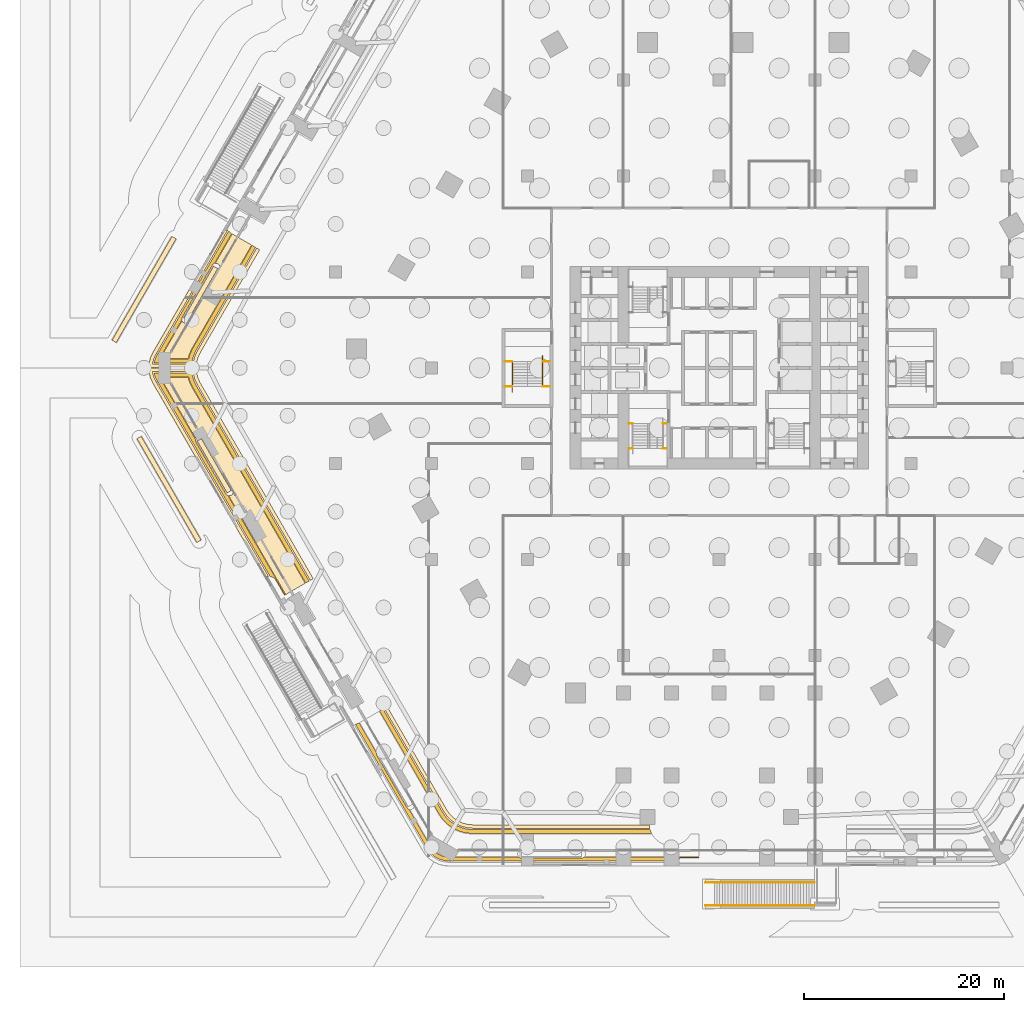
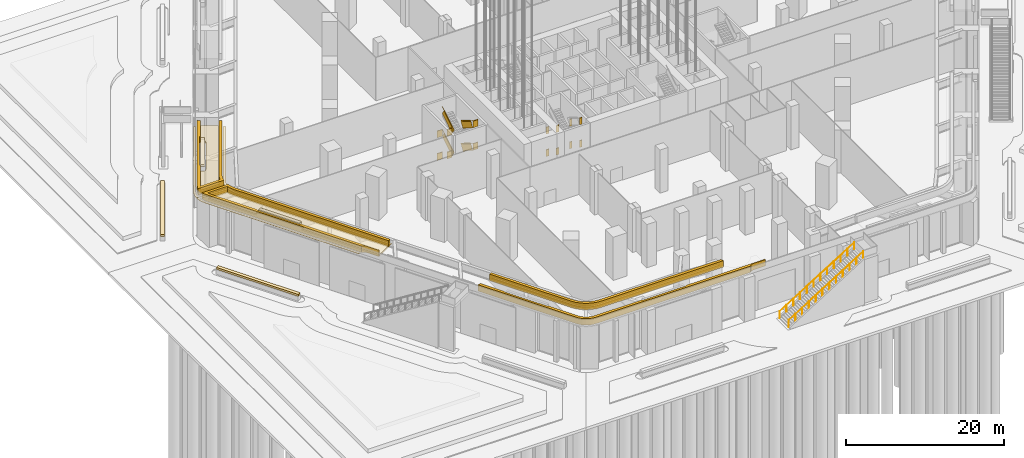
# One storey, part 62 of 68: 13 coverings, 5 railings.
"""IFC4 building model written with IfcOpenShell, lengths in metres."""

from ifc_helpers import new_model, si_unit, direction, frame, frame_2d, origin, origin_2d, place, context, subcontext, project, spatial, polyline, rectangle, circle, outline, extrude, material, layer, layer_set, type_object, element, save


model = new_model("IFC4")

# Units and contexts
model_context = context("Model", 3, precision=1e-05, world=origin(), true_north=direction((0.0, 1.0)))
body_context = subcontext(model_context, "Body", "Model", "MODEL_VIEW")
ifc_project = project(units=[si_unit("LENGTHUNIT", "METRE"), si_unit("AREAUNIT", "SQUARE_METRE"), si_unit("VOLUMEUNIT", "CUBIC_METRE"), si_unit("PLANEANGLEUNIT", "RADIAN"), si_unit("MASSUNIT", "GRAM", prefix="KILO")], contexts=[model_context])

# Site, building, storey
site_placement = place(None, origin())
site = spatial("IfcSite", under=ifc_project, at=site_placement, CompositionType="ELEMENT")
building_placement = place(site_placement, origin())
building = spatial("IfcBuilding", under=site, at=building_placement, Name="Kolab Exchange Tower", CompositionType="ELEMENT")
storey_placement = place(building_placement, origin())
storey = spatial("IfcBuildingStorey", under=building, at=storey_placement, Name="L00", CompositionType="ELEMENT", Elevation=0.0)

# Railings
ifc_material_1 = material(Name="Stainless steel 316", Category="steel")
railing_type_1 = type_object("IfcRailingType", Name="GUARD 1100", PredefinedType="GUARDRAIL", material=ifc_material_1)
railing_1_placement = place(storey_placement, frame((-9.050048828125, -5.550048828125, 0.0)))
element("IfcRailing", 1, at=railing_1_placement, inside=storey, type_object=railing_type_1, Name="Guard ST3", PredefinedType="GUARDRAIL", context=body_context, shape_type="SweptSolid", body=[
    extrude(rectangle(XDim=0.05, YDim=0.05, at=origin_2d()), frame((0.0, 0.0, 1.0751953125), z_axis=(1.0, 0.0, 0.0), x_axis=(0.0, 1.0, 0.0)), (0.0, 0.0, 1.0), 0.39013671875),
    extrude(rectangle(XDim=0.012, YDim=1.05009765625, at=frame_2d((0.0, 0.525146484375))), frame((0.0, 0.0, 0.0), z_axis=(1.0, 0.0, 0.0), x_axis=(0.0, 1.0, 0.0)), (0.0, 0.0, 1.0), 0.39013671875),
    extrude(rectangle(XDim=0.05, YDim=0.05, at=origin_2d()), frame((3.41015625, 0.0, 1.0751953125), z_axis=(1.0, 0.0, 0.0), x_axis=(0.0, 1.0, 0.0)), (0.0, 0.0, 1.0), 0.389892578125),
    extrude(rectangle(XDim=0.012, YDim=1.05009765625, at=frame_2d((0.0, 0.525146484375))), frame((3.41015625, 0.0, 0.0), z_axis=(1.0, 0.0, 0.0), x_axis=(0.0, 1.0, 0.0)), (0.0, 0.0, 1.0), 0.389892578125),
    extrude(rectangle(XDim=0.05, YDim=0.05, at=origin_2d()), frame((0.0, -2.52001953125, 2.8251953125), z_axis=(1.0, 0.0, 0.0), x_axis=(0.0, 1.0, 0.0)), (0.0, 0.0, 1.0), 0.39013671875),
    extrude(rectangle(XDim=0.012, YDim=1.05009765625, at=frame_2d((0.0, 0.525146484375))), frame((0.0, -2.52001953125, 1.75), z_axis=(1.0, 0.0, 0.0), x_axis=(0.0, 1.0, 0.0)), (0.0, 0.0, 1.0), 0.39013671875),
    extrude(rectangle(XDim=0.05, YDim=0.05, at=origin_2d()), frame((3.41015625, -2.52001953125, 2.8251953125), z_axis=(1.0, 0.0, 0.0), x_axis=(0.0, 1.0, 0.0)), (0.0, 0.0, 1.0), 0.389892578125),
    extrude(rectangle(XDim=0.012, YDim=1.05009765625, at=frame_2d((0.0, 0.525146484375))), frame((3.41015625, -2.52001953125, 1.75), z_axis=(1.0, 0.0, 0.0), x_axis=(0.0, 1.0, 0.0)), (0.0, 0.0, 1.0), 0.389892578125),
    extrude(rectangle(XDim=0.05, YDim=0.05, at=origin_2d()), frame((0.0, 0.0, 4.5751953125), z_axis=(1.0, 0.0, 0.0), x_axis=(0.0, 1.0, 0.0)), (0.0, 0.0, 1.0), 0.39013671875),
    extrude(rectangle(XDim=0.012, YDim=1.05009765625, at=frame_2d((0.0, 0.525146484375))), frame((0.0, 0.0, 3.5), z_axis=(1.0, 0.0, 0.0), x_axis=(0.0, 1.0, 0.0)), (0.0, 0.0, 1.0), 0.39013671875),
    extrude(rectangle(XDim=0.05, YDim=0.05, at=origin_2d()), frame((3.41015625, 0.0, 4.5751953125), z_axis=(1.0, 0.0, 0.0), x_axis=(0.0, 1.0, 0.0)), (0.0, 0.0, 1.0), 0.389892578125),
    extrude(rectangle(XDim=0.012, YDim=1.05009765625, at=frame_2d((0.0, 0.525146484375))), frame((3.41015625, 0.0, 3.5), z_axis=(1.0, 0.0, 0.0), x_axis=(0.0, 1.0, 0.0)), (0.0, 0.0, 1.0), 0.389892578125),
    extrude(rectangle(XDim=0.05, YDim=0.05, at=origin_2d()), frame((0.0, -2.52001953125, 6.3251953125), z_axis=(1.0, 0.0, 0.0), x_axis=(0.0, 1.0, 0.0)), (0.0, 0.0, 1.0), 0.39013671875),
    extrude(rectangle(XDim=0.012, YDim=1.05009765625, at=frame_2d((0.0, 0.525146484375))), frame((0.0, -2.52001953125, 5.25), z_axis=(1.0, 0.0, 0.0), x_axis=(0.0, 1.0, 0.0)), (0.0, 0.0, 1.0), 0.39013671875),
    extrude(rectangle(XDim=0.05, YDim=0.05, at=origin_2d()), frame((3.41015625, -2.52001953125, 6.3251953125), z_axis=(1.0, 0.0, 0.0), x_axis=(0.0, 1.0, 0.0)), (0.0, 0.0, 1.0), 0.389892578125),
    extrude(rectangle(XDim=0.012, YDim=1.05009765625, at=frame_2d((0.0, 0.525146484375))), frame((3.41015625, -2.52001953125, 5.25), z_axis=(1.0, 0.0, 0.0), x_axis=(0.0, 1.0, 0.0)), (0.0, 0.0, 1.0), 0.389892578125),
])
railing_2_placement = place(storey_placement, frame((-21.449951171875, 0.64990234375, 0.0)))
element("IfcRailing", 2, at=railing_2_placement, inside=storey, type_object=railing_type_1, Name="Guard ST5", PredefinedType="GUARDRAIL", context=body_context, shape_type="SweptSolid", body=[
    extrude(rectangle(XDim=0.05, YDim=0.05, at=origin_2d()), frame((0.0, 0.0, 1.0751953125), z_axis=(1.0, 0.0, 0.0), x_axis=(0.0, 1.0, 0.0)), (0.0, 0.0, 1.0), 0.739990234375),
    extrude(rectangle(XDim=0.012, YDim=1.05009765625, at=frame_2d((0.0, 0.525146484375))), frame((0.0, 0.0, 0.0), z_axis=(1.0, 0.0, 0.0), x_axis=(0.0, 1.0, 0.0)), (0.0, 0.0, 1.0), 0.739990234375),
    extrude(rectangle(XDim=0.05, YDim=0.05, at=origin_2d()), frame((3.760009765625, 0.0, 1.0751953125), z_axis=(1.0, 0.0, 0.0), x_axis=(0.0, 1.0, 0.0)), (0.0, 0.0, 1.0), 0.739990234375),
    extrude(rectangle(XDim=0.012, YDim=1.05009765625, at=frame_2d((0.0, 0.525146484375))), frame((3.760009765625, 0.0, 0.0), z_axis=(1.0, 0.0, 0.0), x_axis=(0.0, 1.0, 0.0)), (0.0, 0.0, 1.0), 0.739990234375),
    extrude(rectangle(XDim=0.05, YDim=0.05, at=origin_2d()), frame((0.0, -2.52001953125, 2.8251953125), z_axis=(1.0, 0.0, 0.0), x_axis=(0.0, 1.0, 0.0)), (0.0, 0.0, 1.0), 0.739990234375),
    extrude(rectangle(XDim=0.012, YDim=1.05009765625, at=frame_2d((0.0, 0.525146484375))), frame((0.0, -2.52001953125, 1.75), z_axis=(1.0, 0.0, 0.0), x_axis=(0.0, 1.0, 0.0)), (0.0, 0.0, 1.0), 0.739990234375),
    extrude(rectangle(XDim=0.05, YDim=0.05, at=origin_2d()), frame((3.760009765625, -2.52001953125, 2.8251953125), z_axis=(1.0, 0.0, 0.0), x_axis=(0.0, 1.0, 0.0)), (0.0, 0.0, 1.0), 0.739990234375),
    extrude(rectangle(XDim=0.012, YDim=1.05009765625, at=frame_2d((0.0, 0.525146484375))), frame((3.760009765625, -2.52001953125, 1.75), z_axis=(1.0, 0.0, 0.0), x_axis=(0.0, 1.0, 0.0)), (0.0, 0.0, 1.0), 0.739990234375),
    extrude(rectangle(XDim=0.05, YDim=0.05, at=origin_2d()), frame((0.0, 0.0, 4.5751953125), z_axis=(1.0, 0.0, 0.0), x_axis=(0.0, 1.0, 0.0)), (0.0, 0.0, 1.0), 0.739990234375),
    extrude(rectangle(XDim=0.012, YDim=1.05009765625, at=frame_2d((0.0, 0.525146484375))), frame((0.0, 0.0, 3.5), z_axis=(1.0, 0.0, 0.0), x_axis=(0.0, 1.0, 0.0)), (0.0, 0.0, 1.0), 0.739990234375),
    extrude(rectangle(XDim=0.05, YDim=0.05, at=origin_2d()), frame((3.760009765625, 0.0, 4.5751953125), z_axis=(1.0, 0.0, 0.0), x_axis=(0.0, 1.0, 0.0)), (0.0, 0.0, 1.0), 0.739990234375),
    extrude(rectangle(XDim=0.012, YDim=1.05009765625, at=frame_2d((0.0, 0.525146484375))), frame((3.760009765625, 0.0, 3.5), z_axis=(1.0, 0.0, 0.0), x_axis=(0.0, 1.0, 0.0)), (0.0, 0.0, 1.0), 0.739990234375),
    extrude(rectangle(XDim=0.05, YDim=0.05, at=origin_2d()), frame((0.0, -2.52001953125, 6.3251953125), z_axis=(1.0, 0.0, 0.0), x_axis=(0.0, 1.0, 0.0)), (0.0, 0.0, 1.0), 0.739990234375),
    extrude(rectangle(XDim=0.012, YDim=1.05009765625, at=frame_2d((0.0, 0.525146484375))), frame((0.0, -2.52001953125, 5.25), z_axis=(1.0, 0.0, 0.0), x_axis=(0.0, 1.0, 0.0)), (0.0, 0.0, 1.0), 0.739990234375),
    extrude(rectangle(XDim=0.05, YDim=0.05, at=origin_2d()), frame((3.760009765625, -2.52001953125, 6.3251953125), z_axis=(1.0, 0.0, 0.0), x_axis=(0.0, 1.0, 0.0)), (0.0, 0.0, 1.0), 0.739990234375),
    extrude(rectangle(XDim=0.012, YDim=1.05009765625, at=frame_2d((0.0, 0.525146484375))), frame((3.760009765625, -2.52001953125, 5.25), z_axis=(1.0, 0.0, 0.0), x_axis=(0.0, 1.0, 0.0)), (0.0, 0.0, 1.0), 0.739990234375),
])
railing_3_placement = place(storey_placement, frame((-17.68994140625, 0.64990234375, 0.175048828125)))
element("IfcRailing", 3, at=railing_3_placement, inside=storey, type_object=railing_type_1, Name="Handrail guard ST5", PredefinedType="GUARDRAIL", context=body_context, shape_type="SweptSolid", body=[
    extrude(rectangle(XDim=0.05, YDim=0.05, at=origin_2d()), frame((0.0, 0.0, 1.0751953125), z_axis=(0.0, -0.848007534815, 0.529984170421), x_axis=(1.0, 0.0, 0.0)), (0.0, 0.0, 1.0), 2.9716796875),
    extrude(rectangle(XDim=0.012, YDim=1.05009765625, at=frame_2d((0.0, 0.525146484375))), frame((0.0, 0.0, 0.0), z_axis=(0.0, -0.848007534815, 0.529984170421), x_axis=(1.0, 0.0, 0.0)), (0.0, 0.0, 1.0), 2.9716796875),
    extrude(rectangle(XDim=0.05, YDim=0.05, at=origin_2d()), frame((-3.02001953125, -2.52001953125, 2.8251953125), z_axis=(0.0, 0.848007534815, 0.529984170421), x_axis=(-1.0, 0.0, 0.0)), (0.0, 0.0, 1.0), 2.9716796875),
    extrude(rectangle(XDim=0.012, YDim=1.05009765625, at=frame_2d((0.0, 0.525146484375))), frame((-3.02001953125, -2.52001953125, 1.75), z_axis=(0.0, 0.848007534815, 0.529984170421), x_axis=(-1.0, 0.0, 0.0)), (0.0, 0.0, 1.0), 2.9716796875),
    extrude(rectangle(XDim=0.05, YDim=0.05, at=origin_2d()), frame((0.0, 0.0, 4.5751953125), z_axis=(0.0, -0.848007534815, 0.529984170421), x_axis=(1.0, 0.0, 0.0)), (0.0, 0.0, 1.0), 2.9716796875),
    extrude(rectangle(XDim=0.012, YDim=1.05009765625, at=frame_2d((0.0, 0.525146484375))), frame((0.0, 0.0, 3.5), z_axis=(0.0, -0.848007534815, 0.529984170421), x_axis=(1.0, 0.0, 0.0)), (0.0, 0.0, 1.0), 2.9716796875),
    extrude(rectangle(XDim=0.05, YDim=0.05, at=origin_2d()), frame((-3.02001953125, -2.52001953125, 6.3251953125), z_axis=(0.0, 0.848007534815, 0.529984170421), x_axis=(-1.0, 0.0, 0.0)), (0.0, 0.0, 1.0), 2.9716796875),
    extrude(rectangle(XDim=0.012, YDim=1.05009765625, at=frame_2d((0.0, 0.525146484375))), frame((-3.02001953125, -2.52001953125, 5.25), z_axis=(0.0, 0.848007534815, 0.529984170421), x_axis=(-1.0, 0.0, 0.0)), (0.0, 0.0, 1.0), 2.9716796875),
])
ifc_material_2 = material(Name="Steel S235", Category="steel")
railing_type_2 = type_object("IfcRailingType", Name="GUARD 1100 GLASS BALUSTRADE AND STEEL TOP RAIL", PredefinedType="GUARDRAIL", material=ifc_material_2)
railing_4_placement = place(storey_placement, frame((-1.360107421875, -51.54296875, 0.175048828125)))
element("IfcRailing", 4, at=railing_4_placement, inside=storey, type_object=railing_type_2, Name="Stair guard", PredefinedType="GUARDRAIL", context=body_context, shape_type="SweptSolid", body=[
    extrude(circle(Radius=0.02490234375, at=origin_2d()), frame((0.0, 0.0, 1.0751953125), z_axis=(0.848003629439, 0.0, 0.529990419213), x_axis=(0.0, 1.0, 0.0)), (0.0, 0.0, 1.0), 12.87744140625),
    extrude(circle(Radius=0.02001953125, at=origin_2d()), origin(), (0.0, 0.0, 1.0), 1.050048828125),
    extrude(circle(Radius=0.02001953125, at=origin_2d()), frame((0.99267578125, 0.0, 0.620361328125)), (0.0, 0.0, 1.0), 1.050048828125),
    extrude(circle(Radius=0.02001953125, at=origin_2d()), frame((1.985595703125, 0.0, 1.240966796875)), (0.0, 0.0, 1.0), 1.050048828125),
    extrude(circle(Radius=0.02001953125, at=origin_2d()), frame((2.978271484375, 0.0, 1.861328125)), (0.0, 0.0, 1.0), 1.050048828125),
    extrude(circle(Radius=0.02001953125, at=origin_2d()), frame((3.970947265625, 0.0, 2.481689453125)), (0.0, 0.0, 1.0), 1.050048828125),
    extrude(circle(Radius=0.02001953125, at=origin_2d()), frame((4.963623046875, 0.0, 3.102294921875)), (0.0, 0.0, 1.0), 1.050048828125),
    extrude(circle(Radius=0.02001953125, at=origin_2d()), frame((5.95654296875, 0.0, 3.72265625)), (0.0, 0.0, 1.0), 1.050048828125),
    extrude(circle(Radius=0.02001953125, at=origin_2d()), frame((6.94921875, 0.0, 4.34326171875)), (0.0, 0.0, 1.0), 1.050048828125),
    extrude(circle(Radius=0.02001953125, at=origin_2d()), frame((7.94189453125, 0.0, 4.963623046875)), (0.0, 0.0, 1.0), 1.050048828125),
    extrude(circle(Radius=0.02001953125, at=origin_2d()), frame((8.9345703125, 0.0, 5.583984375)), (0.0, 0.0, 1.0), 1.050048828125),
    extrude(circle(Radius=0.02001953125, at=origin_2d()), frame((9.927490234375, 0.0, 6.20458984375)), (0.0, 0.0, 1.0), 1.050048828125),
    extrude(circle(Radius=0.02001953125, at=origin_2d()), frame((10.920166015625, 0.0, 6.824951171875)), (0.0, 0.0, 1.0), 1.050048828125),
])
railing_5_placement = place(storey_placement, frame((-1.360107421875, -53.822998046875, 0.175048828125)))
element("IfcRailing", 5, at=railing_5_placement, inside=storey, type_object=railing_type_2, Name="Stair guard", PredefinedType="GUARDRAIL", context=body_context, shape_type="SweptSolid", body=[
    extrude(circle(Radius=0.02490234375, at=origin_2d()), frame((0.0, 0.0, 1.0751953125), z_axis=(0.848003629439, 0.0, 0.529990419213), x_axis=(0.0, 1.0, 0.0)), (0.0, 0.0, 1.0), 12.87744140625),
    extrude(circle(Radius=0.02001953125, at=origin_2d()), origin(), (0.0, 0.0, 1.0), 1.050048828125),
    extrude(circle(Radius=0.02001953125, at=origin_2d()), frame((0.99267578125, 0.0, 0.620361328125)), (0.0, 0.0, 1.0), 1.050048828125),
    extrude(circle(Radius=0.02001953125, at=origin_2d()), frame((1.985595703125, 0.0, 1.240966796875)), (0.0, 0.0, 1.0), 1.050048828125),
    extrude(circle(Radius=0.02001953125, at=origin_2d()), frame((2.978271484375, 0.0, 1.861328125)), (0.0, 0.0, 1.0), 1.050048828125),
    extrude(circle(Radius=0.02001953125, at=origin_2d()), frame((3.970947265625, 0.0, 2.481689453125)), (0.0, 0.0, 1.0), 1.050048828125),
    extrude(circle(Radius=0.02001953125, at=origin_2d()), frame((4.963623046875, 0.0, 3.102294921875)), (0.0, 0.0, 1.0), 1.050048828125),
    extrude(circle(Radius=0.02001953125, at=origin_2d()), frame((5.95654296875, 0.0, 3.72265625)), (0.0, 0.0, 1.0), 1.050048828125),
    extrude(circle(Radius=0.02001953125, at=origin_2d()), frame((6.94921875, 0.0, 4.34326171875)), (0.0, 0.0, 1.0), 1.050048828125),
    extrude(circle(Radius=0.02001953125, at=origin_2d()), frame((7.94189453125, 0.0, 4.963623046875)), (0.0, 0.0, 1.0), 1.050048828125),
    extrude(circle(Radius=0.02001953125, at=origin_2d()), frame((8.9345703125, 0.0, 5.583984375)), (0.0, 0.0, 1.0), 1.050048828125),
    extrude(circle(Radius=0.02001953125, at=origin_2d()), frame((9.927490234375, 0.0, 6.20458984375)), (0.0, 0.0, 1.0), 1.050048828125),
    extrude(circle(Radius=0.02001953125, at=origin_2d()), frame((10.920166015625, 0.0, 6.824951171875)), (0.0, 0.0, 1.0), 1.050048828125),
])

# Coverings
ifc_material_3 = material(Name="Planting soil and turf", Category="soil")
ifc_layer_1 = layer(ifc_material_3, 0.25)
ifc_layer_set_1 = layer_set([ifc_layer_1], Name="Planting soil and turf")
covering_type_1 = type_object("IfcCoveringType", Name="PLANTING SOIL AND TURF 250", PredefinedType="USERDEFINED", material=ifc_layer_set_1)
covering_1_placement = place(storey_placement, frame((0.0, 0.0, 7.0)))
element("IfcCovering", 6, at=covering_1_placement, inside=storey, type_object=covering_type_1, Name="Planting soil and turf", ObjectType="PLANTING", PredefinedType="USERDEFINED", context=body_context, shape_type="SweptSolid", body=[
    extrude(outline(polyline([(-55.890625, 1.06103515625), (-53.77783203125, 4.720458984375), (-53.763916015625, 4.688720703125), (-53.744873046875, 4.654296875), (-53.72265625, 4.6220703125), (-53.697265625, 4.592041015625), (-53.6689453125, 4.564697265625), (-53.63818359375, 4.54052734375), (-53.605224609375, 4.51904296875), (-53.5703125, 4.501220703125), (-53.53369140625, 4.48681640625), (-53.49609375, 4.47607421875), (-53.45751953125, 4.468994140625), (-53.418212890625, 4.4658203125), (-53.379150390625, 4.46630859375), (-53.340087890625, 4.470947265625), (-53.3017578125, 4.479248046875), (-53.264404296875, 4.4912109375), (-53.228271484375, 4.5068359375), (-53.194091796875, 4.52587890625), (-53.16162109375, 4.548095703125), (-53.1318359375, 4.573486328125), (-53.1044921875, 4.601806640625), (-53.080078125, 4.632568359375), (-53.058837890625, 4.66552734375), (-50.058837890625, 9.86181640625), (-50.040771484375, 9.896728515625), (-50.0263671875, 9.93310546875), (-50.015625, 9.970947265625), (-50.008544921875, 10.009521484375), (-50.00537109375, 10.048583984375), (-50.006103515625, 10.087890625), (-50.010498046875, 10.126953125), (-50.018798828125, 10.165283203125), (-50.03076171875, 10.20263671875), (-50.04638671875, 10.238525390625), (-50.0654296875, 10.27294921875), (-50.087890625, 10.30517578125), (-50.11328125, 10.335205078125), (-50.1416015625, 10.362548828125), (-50.172119140625, 10.386962890625), (-50.205322265625, 10.408203125), (-50.240234375, 10.426025390625), (-50.276611328125, 10.4404296875), (-50.314453125, 10.451171875), (-50.35302734375, 10.458251953125), (-50.39208984375, 10.46142578125), (-50.431396484375, 10.4609375), (-50.4658203125, 10.456787109375), (-48.75732421875, 13.416015625), (-46.802734375, 12.28759765625), (-52.77734375, 1.93896484375), (-53.051025390625, 1.352294921875), (-53.158935546875, 0.949951171875), (-55.942138671875, 0.949951171875), (-55.890625, 1.06103515625)])), origin(), (0.0, 0.0, 1.0), 0.25),
])
covering_2_placement = place(storey_placement, frame((0.0, 0.0, 7.0)))
element("IfcCovering", 7, at=covering_2_placement, inside=storey, type_object=covering_type_1, Name="Planting soil and turf", ObjectType="PLANTING", PredefinedType="USERDEFINED", context=body_context, shape_type="SweptSolid", body=[
    extrude(outline(polyline([(-53.158935546875, -0.949951171875), (-53.051025390625, -1.352294921875), (-52.77734375, -1.93896484375), (-41.442626953125, -21.5712890625), (-43.397216796875, -22.699951171875), (-49.1123046875, -12.801025390625), (-49.077880859375, -12.804931640625), (-49.038818359375, -12.8056640625), (-48.99951171875, -12.802490234375), (-48.9609375, -12.79541015625), (-48.92333984375, -12.78466796875), (-48.88671875, -12.770263671875), (-48.851806640625, -12.752197265625), (-48.81884765625, -12.73095703125), (-48.7880859375, -12.70654296875), (-48.760009765625, -12.67919921875), (-48.734375, -12.6494140625), (-48.712158203125, -12.6171875), (-48.693115234375, -12.582763671875), (-48.677490234375, -12.546875), (-48.66552734375, -12.50927734375), (-48.6572265625, -12.470947265625), (-48.652587890625, -12.43212890625), (-48.652099609375, -12.392822265625), (-48.6552734375, -12.353759765625), (-48.662353515625, -12.31494140625), (-48.673095703125, -12.27734375), (-48.6875, -12.24072265625), (-48.705322265625, -12.205810546875), (-51.705322265625, -7.009765625), (-51.726806640625, -6.976806640625), (-51.7509765625, -6.946044921875), (-51.7783203125, -6.917724609375), (-51.808349609375, -6.892333984375), (-51.840576171875, -6.8701171875), (-51.875, -6.85107421875), (-51.910888671875, -6.83544921875), (-51.9482421875, -6.8232421875), (-51.986572265625, -6.81494140625), (-52.025634765625, -6.810546875), (-52.06494140625, -6.809814453125), (-52.10400390625, -6.813232421875), (-52.142578125, -6.820068359375), (-52.180419921875, -6.8310546875), (-52.216796875, -6.845458984375), (-52.251953125, -6.86328125), (-52.284912109375, -6.884521484375), (-52.315673828125, -6.908935546875), (-52.34375, -6.936279296875), (-52.369140625, -6.96630859375), (-52.3916015625, -6.99853515625), (-52.41064453125, -7.03271484375), (-52.42431640625, -7.064453125), (-55.890625, -1.06103515625), (-55.942138671875, -0.949951171875), (-53.158935546875, -0.949951171875)])), origin(), (0.0, 0.0, 1.0), 0.25),
])
covering_3_placement = place(storey_placement, frame((0.0, 0.0, 7.699951171875)))
element("IfcCovering", 8, at=covering_3_placement, inside=storey, type_object=covering_type_1, Name="Planting soil and turf", ObjectType="PLANTING", PredefinedType="USERDEFINED", context=body_context, shape_type="SweptSolid", body=[
    extrude(outline(polyline([(-52.259765625, -7.32958984375), (-51.843994140625, -7.089599609375), (-48.843994140625, -12.285888671875), (-49.259765625, -12.52587890625), (-52.259765625, -7.32958984375)])), origin(), (0.0, 0.0, 1.0), 0.300048828125),
])
covering_4_placement = place(storey_placement, frame((0.0, 0.0, 7.699951171875)))
element("IfcCovering", 9, at=covering_4_placement, inside=storey, type_object=covering_type_1, Name="Planting soil and turf", ObjectType="PLANTING", PredefinedType="USERDEFINED", context=body_context, shape_type="SweptSolid", body=[
    extrude(outline(polyline([(-50.612548828125, 10.181396484375), (-50.197021484375, 9.94140625), (-53.197021484375, 4.745361328125), (-53.612548828125, 4.9853515625), (-50.612548828125, 10.181396484375)])), origin(), (0.0, 0.0, 1.0), 0.300048828125),
])
covering_5_placement = place(storey_placement, frame((0.0, 0.0, 0.699951171875)))
element("IfcCovering", 10, at=covering_5_placement, inside=storey, type_object=covering_type_1, Name="Planting soil and turf", ObjectType="PLANTING", PredefinedType="USERDEFINED", context=body_context, shape_type="SweptSolid", body=[
    extrude(outline(polyline([(-58.285400390625, -7.093017578125), (-57.86962890625, -6.85302734375), (-51.86962890625, -17.245361328125), (-52.285400390625, -17.4853515625), (-58.285400390625, -7.093017578125)])), origin(), (0.0, 0.0, 1.0), 0.300048828125),
])
covering_6_placement = place(storey_placement, frame((0.0, 0.0, 0.699951171875)))
element("IfcCovering", 11, at=covering_6_placement, inside=storey, type_object=covering_type_1, Name="Planting soil and turf", ObjectType="PLANTING", PredefinedType="USERDEFINED", context=body_context, shape_type="SweptSolid", body=[
    extrude(outline(polyline([(-54.785400390625, 13.155029296875), (-54.36962890625, 12.9150390625), (-60.36962890625, 2.522705078125), (-60.785400390625, 2.762939453125), (-54.785400390625, 13.155029296875)])), origin(), (0.0, 0.0, 1.0), 0.300048828125),
])
ifc_material_4 = material(Name="Limestone coping", Category="masonry")
ifc_layer_2 = layer(ifc_material_4, 0.050048828125)
ifc_layer_set_2 = layer_set([ifc_layer_2], Name="Limestone coping")
covering_type_2 = type_object("IfcCoveringType", Name="TERRACE EDGE BAND LIMESTONE 50", PredefinedType="CLADDING", material=ifc_layer_set_2)
covering_7_placement = place(storey_placement, frame((0.0, 0.0, 7.0)))
element("IfcCovering", 12, at=covering_7_placement, inside=storey, type_object=covering_type_2, Name="Terrace edge band", PredefinedType="CLADDING", context=body_context, shape_type="SweptSolid", body=[
    extrude(outline(polyline([(-56.93603515625, 1.019287109375), (-56.71630859375, 1.49072265625), (-49.562255859375, 13.8818359375), (-49.51025390625, 13.855224609375), (-49.437255859375, 13.826416015625), (-49.361572265625, 13.8046875), (-49.284423828125, 13.790771484375), (-49.214111328125, 13.784912109375), (-56.405517578125, 1.3291015625), (-56.60595703125, 0.89892578125), (-56.724609375, 0.45654296875), (-56.732177734375, 0.3701171875), (-52.675048828125, 0.3701171875), (-52.656005859375, 0.58544921875), (-52.50390625, 1.153076171875), (-52.262451171875, 1.6708984375), (-46.300537109375, 11.99755859375), (-45.997314453125, 11.822509765625), (-51.95166015625, 1.50927734375), (-52.173828125, 1.032958984375), (-52.31005859375, 0.5244140625), (-52.354248046875, 0.02001953125), (-57.114013671875, 0.02001953125), (-57.070556640625, 0.517578125), (-56.93603515625, 1.019287109375)])), origin(), (0.0, 0.0, 1.0), 0.050048828125),
])
covering_8_placement = place(storey_placement, frame((0.0, 0.0, 7.0)))
element("IfcCovering", 13, at=covering_8_placement, inside=storey, type_object=covering_type_2, Name="Terrace edge band", PredefinedType="CLADDING", context=body_context, shape_type="SweptSolid", body=[
    extrude(outline(polyline([(-56.71630859375, -1.49072265625), (-56.93603515625, -1.019287109375), (-57.070556640625, -0.517578125), (-57.114013671875, -0.02001953125), (-52.354248046875, -0.02001953125), (-52.31005859375, -0.5244140625), (-52.173828125, -1.032958984375), (-51.95166015625, -1.50927734375), (-40.63720703125, -21.1064453125), (-40.9404296875, -21.281494140625), (-52.262451171875, -1.6708984375), (-52.50390625, -1.153076171875), (-52.656005859375, -0.58544921875), (-52.675048828125, -0.3701171875), (-56.732177734375, -0.3701171875), (-56.724609375, -0.45654296875), (-56.60595703125, -0.89892578125), (-56.405517578125, -1.3291015625), (-45.114013671875, -20.88623046875), (-45.184326171875, -20.89208984375), (-45.26171875, -20.90625), (-45.337158203125, -20.927734375), (-45.41015625, -20.95654296875), (-45.462158203125, -20.9833984375), (-56.71630859375, -1.49072265625)])), origin(), (0.0, 0.0, 1.0), 0.050048828125),
])
covering_9_placement = place(storey_placement, frame((0.0, 0.0, 7.0)))
element("IfcCovering", 14, at=covering_9_placement, inside=storey, type_object=covering_type_2, Name="Terrace edge band", PredefinedType="CLADDING", context=body_context, shape_type="SweptSolid", body=[
    extrude(outline(polyline([(-27.282958984375, -44.23681640625), (-26.9814453125, -44.66748046875), (-26.609130859375, -45.03955078125), (-26.177978515625, -45.341552734375), (-25.700927734375, -45.56396484375), (-25.1923828125, -45.700439453125), (-24.668701171875, -45.74609375), (-6.994140625, -45.74609375), (-6.989501953125, -45.841796875), (-6.957763671875, -46.055419921875), (-6.947509765625, -46.09619140625), (-24.68408203125, -46.09619140625), (-25.25341796875, -46.04638671875), (-25.821044921875, -45.894287109375), (-26.353759765625, -45.645751953125), (-26.8349609375, -45.308837890625), (-27.25048828125, -44.893310546875), (-27.578369140625, -44.425048828125), (-33.54052734375, -34.0986328125), (-33.2373046875, -33.923583984375), (-27.282958984375, -44.23681640625)])), origin(), (0.0, 0.0, 1.0), 0.050048828125),
])
ifc_material_5 = material(Name="Terrace hedge planting", Category="soil")
ifc_layer_3 = layer(ifc_material_5, 1.0)
ifc_layer_set_3 = layer_set([ifc_layer_3], Name="Terrace hedge planting")
covering_type_3 = type_object("IfcCoveringType", Name="TERRACE HEDGE 1000 X 400", PredefinedType="USERDEFINED", material=ifc_layer_set_3)
covering_10_placement = place(storey_placement, frame((0.0, 0.0, 7.0)))
element("IfcCovering", 15, at=covering_10_placement, inside=storey, type_object=covering_type_3, Name="Terrace hedge", ObjectType="PLANTING", PredefinedType="USERDEFINED", context=body_context, shape_type="SweptSolid", body=[
    extrude(outline(polyline([(-56.2900390625, 1.268798828125), (-49.1044921875, 13.714599609375), (-49.072509765625, 13.66845703125), (-49.021728515625, 13.608642578125), (-48.96533203125, 13.553955078125), (-48.90380859375, 13.505126953125), (-48.837890625, 13.462646484375), (-48.800537109375, 13.441162109375), (-50.533203125, 10.440185546875), (-50.546142578125, 10.43603515625), (-50.58203125, 10.42041015625), (-50.616455078125, 10.4013671875), (-50.648681640625, 10.379150390625), (-50.6787109375, 10.353759765625), (-50.7060546875, 10.325439453125), (-50.73046875, 10.294677734375), (-50.751708984375, 10.26171875), (-53.751708984375, 5.065673828125), (-53.76953125, 5.030517578125), (-53.783935546875, 4.994140625), (-53.794677734375, 4.956298828125), (-53.8017578125, 4.917724609375), (-53.804931640625, 4.878662109375), (-53.804443359375, 4.83935546875), (-53.7998046875, 4.80029296875), (-53.796875, 4.787109375), (-55.934814453125, 1.083984375), (-56.020751953125, 0.89990234375), (-53.12060546875, 0.89990234375), (-53.00390625, 1.3349609375), (-52.733154296875, 1.916015625), (-46.759521484375, 12.2626953125), (-46.4130859375, 12.0625), (-52.3779296875, 1.731201171875), (-52.626708984375, 1.19775390625), (-52.78466796875, 0.608154296875), (-52.7939453125, 0.5), (-56.578369140625, 0.5), (-56.4833984375, 0.8544921875), (-56.2900390625, 1.268798828125)])), origin(), (0.0, 0.0, 1.0), 1.0),
])
covering_11_placement = place(storey_placement, frame((0.0, 0.0, 7.0)))
element("IfcCovering", 16, at=covering_11_placement, inside=storey, type_object=covering_type_3, Name="Terrace hedge", ObjectType="PLANTING", PredefinedType="USERDEFINED", context=body_context, shape_type="SweptSolid", body=[
    extrude(outline(polyline([(-52.78466796875, -0.608154296875), (-52.626708984375, -1.19775390625), (-52.3779296875, -1.731201171875), (-41.052978515625, -21.346435546875), (-41.3994140625, -21.54638671875), (-52.733154296875, -1.916015625), (-53.00390625, -1.3349609375), (-53.12060546875, -0.89990234375), (-56.020751953125, -0.89990234375), (-55.934814453125, -1.083984375), (-52.443603515625, -7.131103515625), (-52.446533203125, -7.14453125), (-52.450927734375, -7.18359375), (-52.45166015625, -7.222900390625), (-52.448486328125, -7.261962890625), (-52.44140625, -7.300537109375), (-52.4306640625, -7.33837890625), (-52.416259765625, -7.374755859375), (-52.398193359375, -7.40966796875), (-49.398193359375, -12.60595703125), (-49.376953125, -12.638916015625), (-49.3525390625, -12.669677734375), (-49.3251953125, -12.69775390625), (-49.29541015625, -12.72314453125), (-49.262939453125, -12.74560546875), (-49.228759765625, -12.7646484375), (-49.192626953125, -12.7802734375), (-49.1796875, -12.784423828125), (-43.440673828125, -22.724853515625), (-43.477783203125, -22.746337890625), (-43.52587890625, -22.77734375), (-44.38720703125, -21.28515625), (-44.4296875, -21.21923828125), (-44.478515625, -21.15771484375), (-44.533203125, -21.101318359375), (-44.593017578125, -21.050537109375), (-44.657470703125, -21.005859375), (-44.72607421875, -20.9677734375), (-44.798095703125, -20.9365234375), (-44.873046875, -20.91259765625), (-44.94970703125, -20.89599609375), (-44.958984375, -20.894775390625), (-56.2900390625, -1.268798828125), (-56.4833984375, -0.8544921875), (-56.578369140625, -0.5), (-52.7939453125, -0.5), (-52.78466796875, -0.608154296875)])), origin(), (0.0, 0.0, 1.0), 1.0),
])
covering_12_placement = place(storey_placement, frame((0.0, 0.0, 7.0)))
element("IfcCovering", 17, at=covering_12_placement, inside=storey, type_object=covering_type_3, Name="Terrace hedge", ObjectType="PLANTING", PredefinedType="USERDEFINED", context=body_context, shape_type="SweptSolid", body=[
    extrude(outline(polyline([(-27.688232421875, -44.4951171875), (-27.3505859375, -44.97705078125), (-26.9189453125, -45.40869140625), (-26.4189453125, -45.7587890625), (-25.86572265625, -46.016845703125), (-25.276123046875, -46.1748046875), (-24.689697265625, -46.22607421875), (-6.9150390625, -46.22607421875), (-6.9052734375, -46.2646484375), (-6.83251953125, -46.468017578125), (-6.7578125, -46.626220703125), (-24.707275390625, -46.626220703125), (-25.345703125, -46.5703125), (-26.0029296875, -46.394287109375), (-26.61962890625, -46.106689453125), (-27.177001953125, -45.71630859375), (-27.658203125, -45.235107421875), (-28.02587890625, -44.710205078125), (-33.99951171875, -34.363525390625), (-33.653076171875, -34.16357421875), (-27.688232421875, -44.4951171875)])), origin(), (0.0, 0.0, 1.0), 1.0),
])
covering_13_placement = place(storey_placement, frame((0.0, 0.0, 7.0)))
element("IfcCovering", 18, at=covering_13_placement, inside=storey, type_object=covering_type_3, Name="Terrace hedge", ObjectType="PLANTING", PredefinedType="USERDEFINED", context=body_context, shape_type="SweptSolid", body=[
    extrude(outline(polyline([(-27.046142578125, -49.383056640625), (-27.501708984375, -49.34326171875), (-27.92236328125, -49.23046875), (-28.31689453125, -49.04638671875), (-28.673583984375, -48.796630859375), (-28.981689453125, -48.48876953125), (-29.243896484375, -48.1142578125), (-36.429443359375, -35.66845703125), (-36.37353515625, -35.663818359375), (-36.296142578125, -35.64990234375), (-36.220703125, -35.628173828125), (-36.147705078125, -35.599365234375), (-36.077880859375, -35.5634765625), (-36.04052734375, -35.5419921875), (-34.30810546875, -38.542724609375), (-34.31103515625, -38.55615234375), (-34.3154296875, -38.59521484375), (-34.316162109375, -38.634521484375), (-34.31298828125, -38.673583984375), (-34.305908203125, -38.712158203125), (-34.295166015625, -38.75), (-34.28076171875, -38.786376953125), (-34.2626953125, -38.8212890625), (-31.2626953125, -44.017578125), (-31.241455078125, -44.050537109375), (-31.217041015625, -44.081298828125), (-31.189697265625, -44.109375), (-31.159912109375, -44.134765625), (-31.12744140625, -44.1572265625), (-31.09326171875, -44.17626953125), (-31.05712890625, -44.19189453125), (-31.044189453125, -44.196044921875), (-28.90625, -47.89892578125), (-28.674072265625, -48.230712890625), (-28.41552734375, -48.489013671875), (-28.1162109375, -48.69873046875), (-27.784912109375, -48.853271484375), (-27.43212890625, -48.94775390625), (-27.028564453125, -48.983154296875), (-20.046142578125, -48.983154296875), (-20.035888671875, -48.9921875), (-20.00439453125, -49.015625), (-19.970703125, -49.035888671875), (-19.935302734375, -49.052734375), (-19.898193359375, -49.06591796875), (-19.860107421875, -49.075439453125), (-19.8212890625, -49.0810546875), (-19.7822265625, -49.0830078125), (-13.7822265625, -49.0830078125), (-13.742919921875, -49.0810546875), (-13.7041015625, -49.075439453125), (-13.666015625, -49.06591796875), (-13.629150390625, -49.052734375), (-13.593505859375, -49.035888671875), (-13.559814453125, -49.015625), (-13.5283203125, -48.9921875), (-13.518310546875, -48.983154296875), (-2.0400390625, -48.983154296875), (-2.0400390625, -49.026123046875), (-2.037109375, -49.0830078125), (-3.760009765625, -49.0830078125), (-3.83837890625, -49.0869140625), (-3.916015625, -49.098388671875), (-3.9921875, -49.117431640625), (-4.066162109375, -49.14404296875), (-4.13720703125, -49.177490234375), (-4.204345703125, -49.2177734375), (-4.267578125, -49.2646484375), (-4.32568359375, -49.3173828125), (-4.37841796875, -49.37548828125), (-4.384033203125, -49.383056640625), (-27.046142578125, -49.383056640625)])), origin(), (0.0, 0.0, 1.0), 1.0),
])

save(model, "model.ifc")
